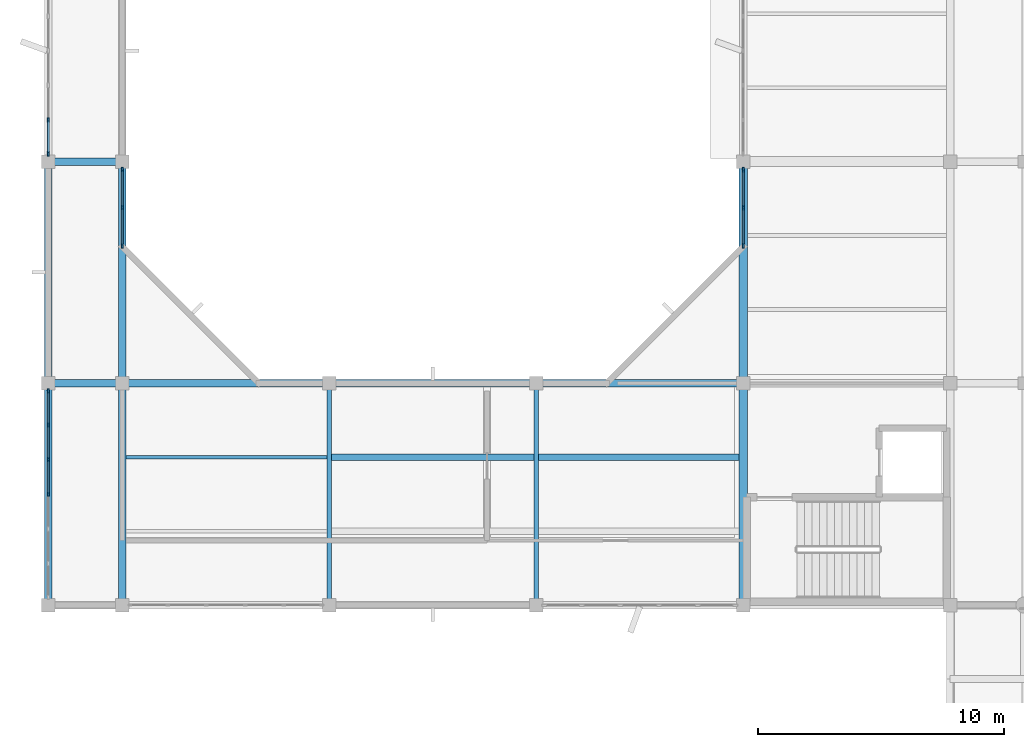
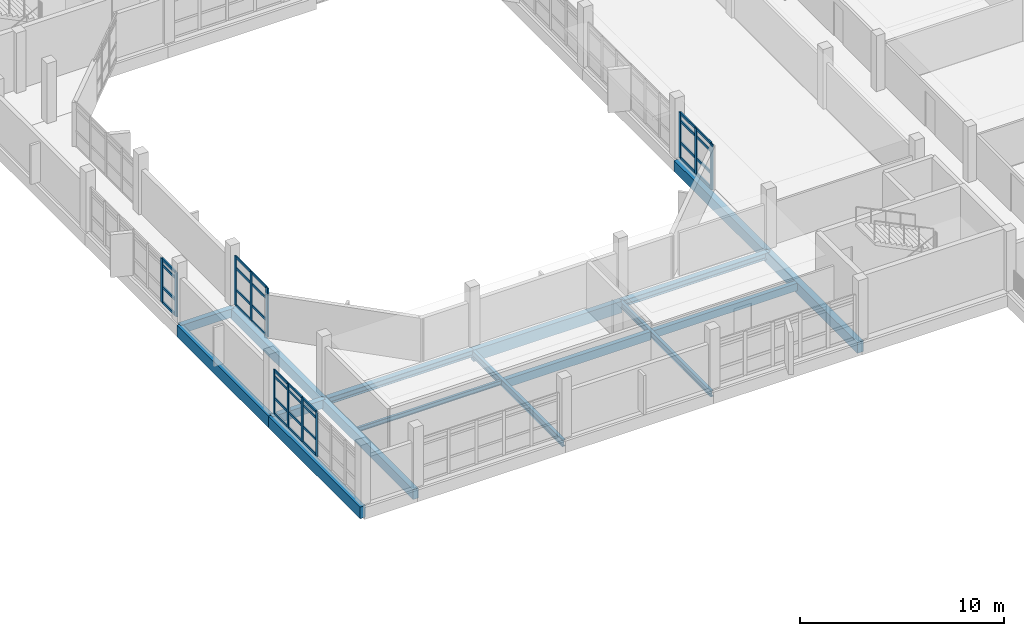
# One storey, part 6 of 51: 44 members, 16 beams, 4 elements without a shape of their own.
"""IFC4 building model written with IfcOpenShell, lengths in metres."""

from ifc_helpers import new_model, si_unit, direction, frame, origin, origin_2d, place, context, subcontext, project, spatial, rectangle, i_section, extrude, material, material_profile, profile_set, type_object, element, aggregate, save


model = new_model("IFC4")

# Units and contexts
model_context = context("Model", 3, precision=1e-05, world=origin(), true_north=direction((0.0, 1.0)))
body_context = subcontext(model_context, "Body", "Model", "MODEL_VIEW")
ifc_project = project(units=[si_unit("LENGTHUNIT", "METRE"), si_unit("AREAUNIT", "SQUARE_METRE"), si_unit("VOLUMEUNIT", "CUBIC_METRE"), si_unit("PLANEANGLEUNIT", "RADIAN"), si_unit("MASSUNIT", "GRAM", prefix="KILO")], contexts=[model_context])

# Site, building, storey
site_placement = place(None, origin())
site = spatial("IfcSite", under=ifc_project, at=site_placement, CompositionType="ELEMENT")
building_placement = place(site_placement, origin())
building = spatial("IfcBuilding", under=site, at=building_placement, Name="Vanh Quang Courtyard School", CompositionType="ELEMENT")
storey_placement = place(building_placement, frame((0.0, 0.0, 11.39990234375)))
storey = spatial("IfcBuildingStorey", under=building, at=storey_placement, Name="L03", CompositionType="ELEMENT", Elevation=11.39990234375)

# Beams
ifc_material_1 = material(Name="Concrete C35/45", Category="concrete")
ifc_material_profile_1 = material_profile(ifc_material_1, rectangle(XDim=0.300048828125, YDim=0.5, at=origin_2d()), Name="RC-BM 300x500")
ifc_profile_set_1 = profile_set([ifc_material_profile_1], Name="Concrete C35/45")
beam_type_1 = type_object("IfcBeamType", Name="BM-RC-300x500", PredefinedType="BEAM", material=ifc_profile_set_1)
for number, where, z_axis, x_axis, name in (
    (1, (37.800048828125, 41.39990234375, -0.5498046875), (1.0, 0.0, 0.0), (0.0, 1.0, 0.0), "Beam B-08 (L03)"),
    (2, (37.800048828125, 50.39990234375, -0.5498046875), (1.0, 0.0, 0.0), (0.0, 1.0, 0.0), "Beam B-08 (L03)"),
):
    element("IfcBeam", number, at=place(storey_placement, frame(where, z_axis=z_axis, x_axis=x_axis)), inside=storey, type_object=beam_type_1, Name=name, PredefinedType="BEAM", context=body_context, shape_type="SweptSolid", body=[
        extrude(rectangle(XDim=0.300048828125, YDim=0.5, at=origin_2d()), origin(), (0.0, 0.0, 1.0), 3.0),
    ])
ifc_material_profile_2 = material_profile(ifc_material_1, rectangle(XDim=0.300048828125, YDim=0.60009765625, at=origin_2d()), Name="RC-BM 300x600")
ifc_profile_set_2 = profile_set([ifc_material_profile_2], Name="Concrete C35/45")
beam_type_2 = type_object("IfcBeamType", Name="BM-RC-300x600", PredefinedType="BEAM", material=ifc_profile_set_2)
for number, where, z_axis, x_axis, name in (
    (3, (40.800048828125, 32.39990234375, -0.599853515625), (0.0, 1.0, 0.0), (-1.0, 0.0, 0.0), "Beam B-06 (L03)"),
    (4, (40.800048828125, 41.39990234375, -0.599853515625), (0.0, 1.0, 0.0), (-1.0, 0.0, 0.0), "Beam B-06 (L03)"),
):
    element("IfcBeam", number, at=place(storey_placement, frame(where, z_axis=z_axis, x_axis=x_axis)), inside=storey, type_object=beam_type_2, Name=name, PredefinedType="BEAM", context=body_context, shape_type="SweptSolid", body=[
        extrude(rectangle(XDim=0.300048828125, YDim=0.60009765625, at=origin_2d()), origin(), (0.0, 0.0, 1.0), 9.0),
    ])
ifc_material_profile_3 = material_profile(ifc_material_1, rectangle(XDim=0.35009765625, YDim=0.64990234375, at=origin_2d()), Name="RC-BM 350x650")
ifc_profile_set_3 = profile_set([ifc_material_profile_3], Name="Concrete C35/45")
beam_type_3 = type_object("IfcBeamType", Name="BM-RC-350x650", PredefinedType="BEAM", material=ifc_profile_set_3)
for number, where, z_axis, x_axis, name in (
    (5, (66.0, 32.39990234375, -0.625), (0.0, 1.0, 0.0), (-1.0, 0.0, 0.0), "Beam B-05 (L03)"),
    (6, (66.0, 41.39990234375, -0.625), (0.0, 1.0, 0.0), (-1.0, 0.0, 0.0), "Beam B-05 (L03)"),
):
    element("IfcBeam", number, at=place(storey_placement, frame(where, z_axis=z_axis, x_axis=x_axis)), inside=storey, type_object=beam_type_3, Name=name, PredefinedType="BEAM", context=body_context, shape_type="SweptSolid", body=[
        extrude(rectangle(XDim=0.35009765625, YDim=0.64990234375, at=origin_2d()), origin(), (0.0, 0.0, 1.0), 9.0),
    ])
ifc_material_profile_4 = material_profile(ifc_material_1, rectangle(XDim=0.300048828125, YDim=0.699951171875, at=origin_2d()), Name="RC-SP 300x700")
ifc_profile_set_4 = profile_set([ifc_material_profile_4], Name="Concrete C35/45")
beam_type_4 = type_object("IfcBeamType", Name="BM-SP-300x700", PredefinedType="SPANDREL", material=ifc_profile_set_4)
beam_1_placement = place(storey_placement, frame((49.199951171875, 41.39990234375, -0.64990234375), z_axis=(1.0, 0.0, 0.0), x_axis=(0.0, 1.0, 0.0)))
element("IfcBeam", 7, at=beam_1_placement, inside=storey, type_object=beam_type_4, Name="Beam BS-01 (L03)", PredefinedType="SPANDREL", context=body_context, shape_type="SweptSolid", body=[
    extrude(rectangle(XDim=0.300048828125, YDim=0.699951171875, at=origin_2d()), origin(), (0.0, 0.0, 1.0), 8.400146484375),
])
for number, where, z_axis, x_axis, name in (
    (8, (37.800048828125, 32.39990234375, -0.64990234375), (0.0, 1.0, 0.0), (-1.0, 0.0, 0.0), "Beam BS-01 (L03)"),
    (9, (37.800048828125, 41.39990234375, -0.64990234375), (0.0, 1.0, 0.0), (-1.0, 0.0, 0.0), "Beam BS-01 (L03)"),
):
    element("IfcBeam", number, at=place(storey_placement, frame(where, z_axis=z_axis, x_axis=x_axis)), inside=storey, type_object=beam_type_4, Name=name, PredefinedType="SPANDREL", context=body_context, shape_type="SweptSolid", body=[
        extrude(rectangle(XDim=0.300048828125, YDim=0.699951171875, at=origin_2d()), origin(), (0.0, 0.0, 1.0), 9.0),
    ])
ifc_material_2 = material(Name="Structural steel EN 10025-2 S355J2", Category="steel")
ifc_material_profile_5 = material_profile(ifc_material_2, i_section(OverallWidth=0.300048828125, OverallDepth=0.389892578125, WebThickness=0.010986328125, FlangeThickness=0.01904296875, FilletRadius=0.027099609375, at=origin_2d()), Name="HEA 400")
ifc_profile_set_5 = profile_set([ifc_material_profile_5], Name="Structural steel EN 10025-2 S355J2")
beam_type_5 = type_object("IfcBeamType", Name="BM-STL-HEA400", PredefinedType="BEAM", material=ifc_profile_set_5)
for number, where, z_axis, x_axis, name in (
    (10, (40.800048828125, 41.39990234375, -0.494873046875), (1.0, 0.0, 0.0), (0.0, 1.0, 0.0), "Beam SB-08 (L03)"),
    (11, (57.60009765625, 41.39990234375, -0.494873046875), (1.0, 0.0, 0.0), (0.0, 1.0, 0.0), "Beam SB-08 (L03)"),
):
    element("IfcBeam", number, at=place(storey_placement, frame(where, z_axis=z_axis, x_axis=x_axis)), inside=storey, type_object=beam_type_5, Name=name, PredefinedType="BEAM", context=body_context, shape_type="SweptSolid", body=[
        extrude(i_section(OverallWidth=0.300048828125, OverallDepth=0.389892578125, WebThickness=0.010986328125, FlangeThickness=0.01904296875, FilletRadius=0.027099609375, at=origin_2d()), origin(), (0.0, 0.0, 1.0), 8.39990234375),
    ])
ifc_material_profile_6 = material_profile(ifc_material_2, i_section(OverallWidth=0.169921875, OverallDepth=0.360107421875, WebThickness=0.008056640625, FlangeThickness=0.0126953125, FilletRadius=0.01806640625, at=origin_2d()), Name="IPE 360")
ifc_profile_set_6 = profile_set([ifc_material_profile_6], Name="Structural steel EN 10025-2 S355J2")
beam_type_6 = type_object("IfcBeamType", Name="BM-STL-IPE360", PredefinedType="BEAM", material=ifc_profile_set_6)
beam_2_placement = place(storey_placement, frame((57.60009765625, 32.39990234375, -0.47998046875), z_axis=(0.0, 1.0, 0.0), x_axis=(-1.0, 0.0, 0.0)))
element("IfcBeam", 12, at=beam_2_placement, inside=storey, type_object=beam_type_6, Name="Beam SB-06 (L03)", PredefinedType="BEAM", context=body_context, shape_type="SweptSolid", body=[
    extrude(i_section(OverallWidth=0.169921875, OverallDepth=0.360107421875, WebThickness=0.008056640625, FlangeThickness=0.0126953125, FilletRadius=0.01806640625, at=origin_2d()), origin(), (0.0, 0.0, 1.0), 9.0),
])
ifc_material_profile_7 = material_profile(ifc_material_2, i_section(OverallWidth=0.179931640625, OverallDepth=0.39990234375, WebThickness=0.008544921875, FlangeThickness=0.013427734375, FilletRadius=0.02099609375, at=origin_2d()), Name="IPE 400")
ifc_profile_set_7 = profile_set([ifc_material_profile_7], Name="Structural steel EN 10025-2 S355J2")
beam_type_7 = type_object("IfcBeamType", Name="BM-STL-IPE400", PredefinedType="BEAM", material=ifc_profile_set_7)
beam_3_placement = place(storey_placement, frame((49.199951171875, 32.39990234375, -0.5), z_axis=(0.0, 1.0, 0.0), x_axis=(-1.0, 0.0, 0.0)))
element("IfcBeam", 13, at=beam_3_placement, inside=storey, type_object=beam_type_7, Name="Beam SB-05 (L03)", PredefinedType="BEAM", context=body_context, shape_type="SweptSolid", body=[
    extrude(i_section(OverallWidth=0.179931640625, OverallDepth=0.39990234375, WebThickness=0.008544921875, FlangeThickness=0.013427734375, FilletRadius=0.02099609375, at=origin_2d()), origin(), (0.0, 0.0, 1.0), 9.0),
])

# Curtain wall, members
ifc_material_3 = material(Name="Thermally broken aluminium unitised curtain wall", Category="aluminium")
curtain_wall_type_1 = type_object("IfcCurtainWallType", Name="CW-SYS-48", PredefinedType="NOTDEFINED", material=ifc_material_3)
curtain_wall_1_placement = place(storey_placement, origin())
curtain_wall_1 = element("IfcCurtainWall", 14, at=curtain_wall_1_placement, inside=storey, type_object=curtain_wall_type_1, Name="Curtain Wall CW-48 (L03)", PredefinedType="NOTDEFINED")
ifc_material_4 = material(Name="Anodised aluminium 6063-T6", Category="aluminium")
ifc_material_profile_8 = material_profile(ifc_material_4, rectangle(XDim=0.070068359375, YDim=0.179931640625, at=origin_2d()), Name="ALU-MUL 70x180")
ifc_profile_set_8 = profile_set([ifc_material_profile_8], Name="Anodised aluminium 6063-T6")
member_type_1 = type_object("IfcMemberType", Name="CW-MUL-70x180", PredefinedType="MULLION", material=ifc_profile_set_8)
member_1_placement = place(storey_placement, frame((37.800048828125, 36.89990234375, 0.0), z_axis=(0.0, 0.0, 1.0), x_axis=(-1.0, 0.0, 0.0)))
member_1 = element("IfcMember", 15, at=member_1_placement, type_object=member_type_1, Name="CW-48 mullion 4", PredefinedType="MULLION", context=body_context, shape_type="SweptSolid", body=[
    extrude(rectangle(XDim=0.070068359375, YDim=0.179931640625, at=origin_2d()), origin(), (0.0, 0.0, 1.0), 2.64013671875),
])
member_2_placement = place(storey_placement, frame((37.800048828125, 38.3056640625, 0.0), z_axis=(0.0, 0.0, 1.0), x_axis=(-1.0, 0.0, 0.0)))
member_2 = element("IfcMember", 16, at=member_2_placement, type_object=member_type_1, Name="CW-48 mullion 5", PredefinedType="MULLION", context=body_context, shape_type="SweptSolid", body=[
    extrude(rectangle(XDim=0.070068359375, YDim=0.179931640625, at=origin_2d()), origin(), (0.0, 0.0, 1.0), 2.64013671875),
])
member_3_placement = place(storey_placement, frame((37.800048828125, 39.71142578125, 0.0), z_axis=(0.0, 0.0, 1.0), x_axis=(-1.0, 0.0, 0.0)))
member_3 = element("IfcMember", 17, at=member_3_placement, type_object=member_type_1, Name="CW-48 mullion 6", PredefinedType="MULLION", context=body_context, shape_type="SweptSolid", body=[
    extrude(rectangle(XDim=0.070068359375, YDim=0.179931640625, at=origin_2d()), origin(), (0.0, 0.0, 1.0), 2.64013671875),
])
member_4_placement = place(storey_placement, frame((37.800048828125, 41.08203125, 0.0), z_axis=(0.0, 0.0, 1.0), x_axis=(-1.0, 0.0, 0.0)))
member_4 = element("IfcMember", 18, at=member_4_placement, type_object=member_type_1, Name="CW-48 mullion 7", PredefinedType="MULLION", context=body_context, shape_type="SweptSolid", body=[
    extrude(rectangle(XDim=0.070068359375, YDim=0.179931640625, at=origin_2d()), origin(), (0.0, 0.0, 1.0), 2.64013671875),
])

curtain_wall_type_2 = type_object("IfcCurtainWallType", Name="CW-SYS-45", PredefinedType="NOTDEFINED", material=ifc_material_3)
curtain_wall_2_placement = place(storey_placement, origin())
curtain_wall_2 = element("IfcCurtainWall", 19, at=curtain_wall_2_placement, inside=storey, type_object=curtain_wall_type_2, Name="Curtain Wall CW-45 (L03)", PredefinedType="NOTDEFINED")
member_5_placement = place(storey_placement, frame((40.800048828125, 50.08203125, 0.0), z_axis=(0.0, 0.0, 1.0), x_axis=(1.0, 0.0, 0.0)))
member_5 = element("IfcMember", 20, at=member_5_placement, type_object=member_type_1, Name="CW-45 mullion 1", PredefinedType="MULLION", context=body_context, shape_type="SweptSolid", body=[
    extrude(rectangle(XDim=0.070068359375, YDim=0.179931640625, at=origin_2d()), origin(), (0.0, 0.0, 1.0), 2.940185546875),
])
member_6_placement = place(storey_placement, frame((40.800048828125, 48.530517578125, 0.0), z_axis=(0.0, 0.0, 1.0), x_axis=(1.0, 0.0, 0.0)))
member_6 = element("IfcMember", 21, at=member_6_placement, type_object=member_type_1, Name="CW-45 mullion 2", PredefinedType="MULLION", context=body_context, shape_type="SweptSolid", body=[
    extrude(rectangle(XDim=0.070068359375, YDim=0.179931640625, at=origin_2d()), origin(), (0.0, 0.0, 1.0), 2.940185546875),
])
member_7_placement = place(storey_placement, frame((40.800048828125, 46.97900390625, 0.0), z_axis=(0.0, 0.0, 1.0), x_axis=(1.0, 0.0, 0.0)))
member_7 = element("IfcMember", 22, at=member_7_placement, type_object=member_type_1, Name="CW-45 mullion 3", PredefinedType="MULLION", context=body_context, shape_type="SweptSolid", body=[
    extrude(rectangle(XDim=0.070068359375, YDim=0.179931640625, at=origin_2d()), origin(), (0.0, 0.0, 1.0), 2.940185546875),
])

curtain_wall_3_placement = place(storey_placement, origin())
curtain_wall_3 = element("IfcCurtainWall", 23, at=curtain_wall_3_placement, inside=storey, type_object=curtain_wall_type_1, Name="Curtain Wall CW-48 (L03)", PredefinedType="NOTDEFINED")
ifc_material_profile_9 = material_profile(ifc_material_4, rectangle(XDim=0.080078125, YDim=0.199951171875, at=origin_2d()), Name="ALU-MUL 80x200")
ifc_profile_set_9 = profile_set([ifc_material_profile_9], Name="Anodised aluminium 6063-T6")
member_type_2 = type_object("IfcMemberType", Name="CW-MUL-80x200", PredefinedType="MULLION", material=ifc_profile_set_9)
member_8_placement = place(storey_placement, frame((37.800048828125, 50.722900390625, 0.0), z_axis=(0.0, 0.0, 1.0), x_axis=(-1.0, 0.0, 0.0)))
member_8 = element("IfcMember", 24, at=member_8_placement, type_object=member_type_2, Name="CW-48 mullion 1", PredefinedType="MULLION", context=body_context, shape_type="SweptSolid", body=[
    extrude(rectangle(XDim=0.080078125, YDim=0.199951171875, at=origin_2d()), origin(), (0.0, 0.0, 1.0), 2.64013671875),
])
member_9_placement = place(storey_placement, frame((37.800048828125, 52.088623046875, 0.0), z_axis=(0.0, 0.0, 1.0), x_axis=(-1.0, 0.0, 0.0)))
member_9 = element("IfcMember", 25, at=member_9_placement, type_object=member_type_2, Name="CW-48 mullion 2", PredefinedType="MULLION", context=body_context, shape_type="SweptSolid", body=[
    extrude(rectangle(XDim=0.080078125, YDim=0.199951171875, at=origin_2d()), origin(), (0.0, 0.0, 1.0), 2.64013671875),
])

curtain_wall_type_3 = type_object("IfcCurtainWallType", Name="CW-SYS-43", PredefinedType="NOTDEFINED", material=ifc_material_3)
curtain_wall_4_placement = place(storey_placement, origin())
curtain_wall_4 = element("IfcCurtainWall", 26, at=curtain_wall_4_placement, inside=storey, type_object=curtain_wall_type_3, Name="Curtain Wall CW-43 (L03)", PredefinedType="NOTDEFINED")
member_10_placement = place(storey_placement, frame((66.0, 46.98388671875, 0.0), z_axis=(0.0, 0.0, 1.0), x_axis=(-1.0, 0.0, 0.0)))
member_10 = element("IfcMember", 27, at=member_10_placement, type_object=member_type_2, Name="CW-43 mullion 1", PredefinedType="MULLION", context=body_context, shape_type="SweptSolid", body=[
    extrude(rectangle(XDim=0.080078125, YDim=0.199951171875, at=origin_2d()), origin(), (0.0, 0.0, 1.0), 2.739990234375),
])
member_11_placement = place(storey_placement, frame((66.0, 48.530517578125, 0.0), z_axis=(0.0, 0.0, 1.0), x_axis=(-1.0, 0.0, 0.0)))
member_11 = element("IfcMember", 28, at=member_11_placement, type_object=member_type_2, Name="CW-43 mullion 2", PredefinedType="MULLION", context=body_context, shape_type="SweptSolid", body=[
    extrude(rectangle(XDim=0.080078125, YDim=0.199951171875, at=origin_2d()), origin(), (0.0, 0.0, 1.0), 2.739990234375),
])
member_12_placement = place(storey_placement, frame((66.0, 50.076904296875, 0.0), z_axis=(0.0, 0.0, 1.0), x_axis=(-1.0, 0.0, 0.0)))
member_12 = element("IfcMember", 29, at=member_12_placement, type_object=member_type_2, Name="CW-43 mullion 3", PredefinedType="MULLION", context=body_context, shape_type="SweptSolid", body=[
    extrude(rectangle(XDim=0.080078125, YDim=0.199951171875, at=origin_2d()), origin(), (0.0, 0.0, 1.0), 2.739990234375),
])

# Member
ifc_material_profile_10 = material_profile(ifc_material_4, rectangle(XDim=0.070068359375, YDim=0.139892578125, at=origin_2d()), Name="ALU-TRN 70x140")
ifc_profile_set_10 = profile_set([ifc_material_profile_10], Name="Anodised aluminium 6063-T6")
member_type_3 = type_object("IfcMemberType", Name="CW-TRN-70x140", PredefinedType="USERDEFINED", material=ifc_profile_set_10)
member_13_placement = place(storey_placement, frame((37.800048828125, 36.93505859375, 0.03515625), z_axis=(0.0, 1.0, 0.0), x_axis=(-1.0, 0.0, 0.0)))
member_13 = element("IfcMember", 30, at=member_13_placement, type_object=member_type_3, Name="CW-48 transom 4.1", ObjectType="TRANSOM", PredefinedType="USERDEFINED", context=body_context, shape_type="SweptSolid", body=[
    extrude(rectangle(XDim=0.070068359375, YDim=0.139892578125, at=origin_2d()), origin(), (0.0, 0.0, 1.0), 1.335693359375),
])

member_14_placement = place(storey_placement, frame((37.800048828125, 36.93505859375, 0.9501953125), z_axis=(0.0, 1.0, 0.0), x_axis=(-1.0, 0.0, 0.0)))
member_14 = element("IfcMember", 31, at=member_14_placement, type_object=member_type_3, Name="CW-48 transom 4.2", ObjectType="TRANSOM", PredefinedType="USERDEFINED", context=body_context, shape_type="SweptSolid", body=[
    extrude(rectangle(XDim=0.070068359375, YDim=0.139892578125, at=origin_2d()), origin(), (0.0, 0.0, 1.0), 1.335693359375),
])

member_15_placement = place(storey_placement, frame((37.800048828125, 36.93505859375, 2.25), z_axis=(0.0, 1.0, 0.0), x_axis=(-1.0, 0.0, 0.0)))
member_15 = element("IfcMember", 32, at=member_15_placement, type_object=member_type_3, Name="CW-48 transom 4.3", ObjectType="TRANSOM", PredefinedType="USERDEFINED", context=body_context, shape_type="SweptSolid", body=[
    extrude(rectangle(XDim=0.070068359375, YDim=0.139892578125, at=origin_2d()), origin(), (0.0, 0.0, 1.0), 1.335693359375),
])

member_16_placement = place(storey_placement, frame((37.800048828125, 36.93505859375, 2.60498046875), z_axis=(0.0, 1.0, 0.0), x_axis=(-1.0, 0.0, 0.0)))
member_16 = element("IfcMember", 33, at=member_16_placement, type_object=member_type_3, Name="CW-48 transom 4.4", ObjectType="TRANSOM", PredefinedType="USERDEFINED", context=body_context, shape_type="SweptSolid", body=[
    extrude(rectangle(XDim=0.070068359375, YDim=0.139892578125, at=origin_2d()), origin(), (0.0, 0.0, 1.0), 1.335693359375),
])

member_17_placement = place(storey_placement, frame((37.800048828125, 38.340576171875, 0.03515625), z_axis=(0.0, 1.0, 0.0), x_axis=(-1.0, 0.0, 0.0)))
member_17 = element("IfcMember", 34, at=member_17_placement, type_object=member_type_3, Name="CW-48 transom 5.1", ObjectType="TRANSOM", PredefinedType="USERDEFINED", context=body_context, shape_type="SweptSolid", body=[
    extrude(rectangle(XDim=0.070068359375, YDim=0.139892578125, at=origin_2d()), origin(), (0.0, 0.0, 1.0), 1.335693359375),
])

member_18_placement = place(storey_placement, frame((37.800048828125, 38.340576171875, 0.9501953125), z_axis=(0.0, 1.0, 0.0), x_axis=(-1.0, 0.0, 0.0)))
member_18 = element("IfcMember", 35, at=member_18_placement, type_object=member_type_3, Name="CW-48 transom 5.2", ObjectType="TRANSOM", PredefinedType="USERDEFINED", context=body_context, shape_type="SweptSolid", body=[
    extrude(rectangle(XDim=0.070068359375, YDim=0.139892578125, at=origin_2d()), origin(), (0.0, 0.0, 1.0), 1.335693359375),
])

member_19_placement = place(storey_placement, frame((37.800048828125, 38.340576171875, 2.25), z_axis=(0.0, 1.0, 0.0), x_axis=(-1.0, 0.0, 0.0)))
member_19 = element("IfcMember", 36, at=member_19_placement, type_object=member_type_3, Name="CW-48 transom 5.3", ObjectType="TRANSOM", PredefinedType="USERDEFINED", context=body_context, shape_type="SweptSolid", body=[
    extrude(rectangle(XDim=0.070068359375, YDim=0.139892578125, at=origin_2d()), origin(), (0.0, 0.0, 1.0), 1.335693359375),
])

member_20_placement = place(storey_placement, frame((37.800048828125, 38.340576171875, 2.60498046875), z_axis=(0.0, 1.0, 0.0), x_axis=(-1.0, 0.0, 0.0)))
member_20 = element("IfcMember", 37, at=member_20_placement, type_object=member_type_3, Name="CW-48 transom 5.4", ObjectType="TRANSOM", PredefinedType="USERDEFINED", context=body_context, shape_type="SweptSolid", body=[
    extrude(rectangle(XDim=0.070068359375, YDim=0.139892578125, at=origin_2d()), origin(), (0.0, 0.0, 1.0), 1.335693359375),
])

member_21_placement = place(storey_placement, frame((37.800048828125, 39.746337890625, 0.03515625), z_axis=(0.0, 1.0, 0.0), x_axis=(-1.0, 0.0, 0.0)))
member_21 = element("IfcMember", 38, at=member_21_placement, type_object=member_type_3, Name="CW-48 transom 6.1", ObjectType="TRANSOM", PredefinedType="USERDEFINED", context=body_context, shape_type="SweptSolid", body=[
    extrude(rectangle(XDim=0.070068359375, YDim=0.139892578125, at=origin_2d()), origin(), (0.0, 0.0, 1.0), 1.30078125),
])

member_22_placement = place(storey_placement, frame((37.800048828125, 39.746337890625, 0.9501953125), z_axis=(0.0, 1.0, 0.0), x_axis=(-1.0, 0.0, 0.0)))
member_22 = element("IfcMember", 39, at=member_22_placement, type_object=member_type_3, Name="CW-48 transom 6.2", ObjectType="TRANSOM", PredefinedType="USERDEFINED", context=body_context, shape_type="SweptSolid", body=[
    extrude(rectangle(XDim=0.070068359375, YDim=0.139892578125, at=origin_2d()), origin(), (0.0, 0.0, 1.0), 1.30078125),
])

member_23_placement = place(storey_placement, frame((37.800048828125, 39.746337890625, 2.25), z_axis=(0.0, 1.0, 0.0), x_axis=(-1.0, 0.0, 0.0)))
member_23 = element("IfcMember", 40, at=member_23_placement, type_object=member_type_3, Name="CW-48 transom 6.3", ObjectType="TRANSOM", PredefinedType="USERDEFINED", context=body_context, shape_type="SweptSolid", body=[
    extrude(rectangle(XDim=0.070068359375, YDim=0.139892578125, at=origin_2d()), origin(), (0.0, 0.0, 1.0), 1.30078125),
])

member_24_placement = place(storey_placement, frame((37.800048828125, 39.746337890625, 2.60498046875), z_axis=(0.0, 1.0, 0.0), x_axis=(-1.0, 0.0, 0.0)))
member_24 = element("IfcMember", 41, at=member_24_placement, type_object=member_type_3, Name="CW-48 transom 6.4", ObjectType="TRANSOM", PredefinedType="USERDEFINED", context=body_context, shape_type="SweptSolid", body=[
    extrude(rectangle(XDim=0.070068359375, YDim=0.139892578125, at=origin_2d()), origin(), (0.0, 0.0, 1.0), 1.30078125),
])

aggregate(curtain_wall_1, [member_1, member_2, member_3, member_4, member_13, member_14, member_15, member_16, member_17, member_18, member_19, member_20, member_21, member_22, member_23, member_24])

member_25_placement = place(storey_placement, frame((40.800048828125, 50.047119140625, 0.03515625), z_axis=(0.0, -1.0, 0.0), x_axis=(1.0, 0.0, 0.0)))
member_25 = element("IfcMember", 42, at=member_25_placement, type_object=member_type_3, Name="CW-45 transom 1.1", ObjectType="TRANSOM", PredefinedType="USERDEFINED", context=body_context, shape_type="SweptSolid", body=[
    extrude(rectangle(XDim=0.070068359375, YDim=0.139892578125, at=origin_2d()), origin(), (0.0, 0.0, 1.0), 1.481689453125),
])

member_26_placement = place(storey_placement, frame((40.800048828125, 50.047119140625, 0.9501953125), z_axis=(0.0, -1.0, 0.0), x_axis=(1.0, 0.0, 0.0)))
member_26 = element("IfcMember", 43, at=member_26_placement, type_object=member_type_3, Name="CW-45 transom 1.2", ObjectType="TRANSOM", PredefinedType="USERDEFINED", context=body_context, shape_type="SweptSolid", body=[
    extrude(rectangle(XDim=0.070068359375, YDim=0.139892578125, at=origin_2d()), origin(), (0.0, 0.0, 1.0), 1.481689453125),
])

member_27_placement = place(storey_placement, frame((40.800048828125, 50.047119140625, 2.25), z_axis=(0.0, -1.0, 0.0), x_axis=(1.0, 0.0, 0.0)))
member_27 = element("IfcMember", 44, at=member_27_placement, type_object=member_type_3, Name="CW-45 transom 1.3", ObjectType="TRANSOM", PredefinedType="USERDEFINED", context=body_context, shape_type="SweptSolid", body=[
    extrude(rectangle(XDim=0.070068359375, YDim=0.139892578125, at=origin_2d()), origin(), (0.0, 0.0, 1.0), 1.481689453125),
])

member_28_placement = place(storey_placement, frame((40.800048828125, 50.047119140625, 2.905029296875), z_axis=(0.0, -1.0, 0.0), x_axis=(1.0, 0.0, 0.0)))
member_28 = element("IfcMember", 45, at=member_28_placement, type_object=member_type_3, Name="CW-45 transom 1.4", ObjectType="TRANSOM", PredefinedType="USERDEFINED", context=body_context, shape_type="SweptSolid", body=[
    extrude(rectangle(XDim=0.070068359375, YDim=0.139892578125, at=origin_2d()), origin(), (0.0, 0.0, 1.0), 1.481689453125),
])

member_29_placement = place(storey_placement, frame((40.800048828125, 48.49560546875, 0.03515625), z_axis=(0.0, -1.0, 0.0), x_axis=(1.0, 0.0, 0.0)))
member_29 = element("IfcMember", 46, at=member_29_placement, type_object=member_type_3, Name="CW-45 transom 2.1", ObjectType="TRANSOM", PredefinedType="USERDEFINED", context=body_context, shape_type="SweptSolid", body=[
    extrude(rectangle(XDim=0.070068359375, YDim=0.139892578125, at=origin_2d()), origin(), (0.0, 0.0, 1.0), 1.481689453125),
])

member_30_placement = place(storey_placement, frame((40.800048828125, 48.49560546875, 0.9501953125), z_axis=(0.0, -1.0, 0.0), x_axis=(1.0, 0.0, 0.0)))
member_30 = element("IfcMember", 47, at=member_30_placement, type_object=member_type_3, Name="CW-45 transom 2.2", ObjectType="TRANSOM", PredefinedType="USERDEFINED", context=body_context, shape_type="SweptSolid", body=[
    extrude(rectangle(XDim=0.070068359375, YDim=0.139892578125, at=origin_2d()), origin(), (0.0, 0.0, 1.0), 1.481689453125),
])

member_31_placement = place(storey_placement, frame((40.800048828125, 48.49560546875, 2.25), z_axis=(0.0, -1.0, 0.0), x_axis=(1.0, 0.0, 0.0)))
member_31 = element("IfcMember", 48, at=member_31_placement, type_object=member_type_3, Name="CW-45 transom 2.3", ObjectType="TRANSOM", PredefinedType="USERDEFINED", context=body_context, shape_type="SweptSolid", body=[
    extrude(rectangle(XDim=0.070068359375, YDim=0.139892578125, at=origin_2d()), origin(), (0.0, 0.0, 1.0), 1.481689453125),
])

member_32_placement = place(storey_placement, frame((40.800048828125, 48.49560546875, 2.905029296875), z_axis=(0.0, -1.0, 0.0), x_axis=(1.0, 0.0, 0.0)))
member_32 = element("IfcMember", 49, at=member_32_placement, type_object=member_type_3, Name="CW-45 transom 2.4", ObjectType="TRANSOM", PredefinedType="USERDEFINED", context=body_context, shape_type="SweptSolid", body=[
    extrude(rectangle(XDim=0.070068359375, YDim=0.139892578125, at=origin_2d()), origin(), (0.0, 0.0, 1.0), 1.481689453125),
])

aggregate(curtain_wall_2, [member_5, member_6, member_7, member_25, member_26, member_27, member_28, member_29, member_30, member_31, member_32])

ifc_material_profile_11 = material_profile(ifc_material_4, rectangle(XDim=0.080078125, YDim=0.14990234375, at=origin_2d()), Name="ALU-TRN 80x150")
ifc_profile_set_11 = profile_set([ifc_material_profile_11], Name="Anodised aluminium 6063-T6")
member_type_4 = type_object("IfcMemberType", Name="CW-TRN-80x150", PredefinedType="USERDEFINED", material=ifc_profile_set_11)
member_33_placement = place(storey_placement, frame((37.800048828125, 50.762939453125, 0.0400390625), z_axis=(0.0, 1.0, 0.0), x_axis=(-1.0, 0.0, 0.0)))
member_33 = element("IfcMember", 50, at=member_33_placement, type_object=member_type_4, Name="CW-48 transom 1.1", ObjectType="TRANSOM", PredefinedType="USERDEFINED", context=body_context, shape_type="SweptSolid", body=[
    extrude(rectangle(XDim=0.080078125, YDim=0.14990234375, at=origin_2d()), origin(), (0.0, 0.0, 1.0), 1.28564453125),
])

member_34_placement = place(storey_placement, frame((37.800048828125, 50.762939453125, 0.9501953125), z_axis=(0.0, 1.0, 0.0), x_axis=(-1.0, 0.0, 0.0)))
member_34 = element("IfcMember", 51, at=member_34_placement, type_object=member_type_4, Name="CW-48 transom 1.2", ObjectType="TRANSOM", PredefinedType="USERDEFINED", context=body_context, shape_type="SweptSolid", body=[
    extrude(rectangle(XDim=0.080078125, YDim=0.14990234375, at=origin_2d()), origin(), (0.0, 0.0, 1.0), 1.28564453125),
])

member_35_placement = place(storey_placement, frame((37.800048828125, 50.762939453125, 2.25), z_axis=(0.0, 1.0, 0.0), x_axis=(-1.0, 0.0, 0.0)))
member_35 = element("IfcMember", 52, at=member_35_placement, type_object=member_type_4, Name="CW-48 transom 1.3", ObjectType="TRANSOM", PredefinedType="USERDEFINED", context=body_context, shape_type="SweptSolid", body=[
    extrude(rectangle(XDim=0.080078125, YDim=0.14990234375, at=origin_2d()), origin(), (0.0, 0.0, 1.0), 1.28564453125),
])

member_36_placement = place(storey_placement, frame((37.800048828125, 50.762939453125, 2.60009765625), z_axis=(0.0, 1.0, 0.0), x_axis=(-1.0, 0.0, 0.0)))
member_36 = element("IfcMember", 53, at=member_36_placement, type_object=member_type_4, Name="CW-48 transom 1.4", ObjectType="TRANSOM", PredefinedType="USERDEFINED", context=body_context, shape_type="SweptSolid", body=[
    extrude(rectangle(XDim=0.080078125, YDim=0.14990234375, at=origin_2d()), origin(), (0.0, 0.0, 1.0), 1.28564453125),
])

aggregate(curtain_wall_3, [member_8, member_9, member_33, member_34, member_35, member_36])

member_37_placement = place(storey_placement, frame((66.0, 47.02392578125, 0.0400390625), z_axis=(0.0, 1.0, 0.0), x_axis=(-1.0, 0.0, 0.0)))
member_37 = element("IfcMember", 54, at=member_37_placement, type_object=member_type_4, Name="CW-43 transom 1.1", ObjectType="TRANSOM", PredefinedType="USERDEFINED", context=body_context, shape_type="SweptSolid", body=[
    extrude(rectangle(XDim=0.080078125, YDim=0.14990234375, at=origin_2d()), origin(), (0.0, 0.0, 1.0), 1.466552734375),
])

member_38_placement = place(storey_placement, frame((66.0, 47.02392578125, 0.9501953125), z_axis=(0.0, 1.0, 0.0), x_axis=(-1.0, 0.0, 0.0)))
member_38 = element("IfcMember", 55, at=member_38_placement, type_object=member_type_4, Name="CW-43 transom 1.2", ObjectType="TRANSOM", PredefinedType="USERDEFINED", context=body_context, shape_type="SweptSolid", body=[
    extrude(rectangle(XDim=0.080078125, YDim=0.14990234375, at=origin_2d()), origin(), (0.0, 0.0, 1.0), 1.466552734375),
])

member_39_placement = place(storey_placement, frame((66.0, 47.02392578125, 2.25), z_axis=(0.0, 1.0, 0.0), x_axis=(-1.0, 0.0, 0.0)))
member_39 = element("IfcMember", 56, at=member_39_placement, type_object=member_type_4, Name="CW-43 transom 1.3", ObjectType="TRANSOM", PredefinedType="USERDEFINED", context=body_context, shape_type="SweptSolid", body=[
    extrude(rectangle(XDim=0.080078125, YDim=0.14990234375, at=origin_2d()), origin(), (0.0, 0.0, 1.0), 1.466552734375),
])

member_40_placement = place(storey_placement, frame((66.0, 47.02392578125, 2.7001953125), z_axis=(0.0, 1.0, 0.0), x_axis=(-1.0, 0.0, 0.0)))
member_40 = element("IfcMember", 57, at=member_40_placement, type_object=member_type_4, Name="CW-43 transom 1.4", ObjectType="TRANSOM", PredefinedType="USERDEFINED", context=body_context, shape_type="SweptSolid", body=[
    extrude(rectangle(XDim=0.080078125, YDim=0.14990234375, at=origin_2d()), origin(), (0.0, 0.0, 1.0), 1.466552734375),
])

member_41_placement = place(storey_placement, frame((66.0, 48.570556640625, 0.0400390625), z_axis=(0.0, 1.0, 0.0), x_axis=(-1.0, 0.0, 0.0)))
member_41 = element("IfcMember", 58, at=member_41_placement, type_object=member_type_4, Name="CW-43 transom 2.1", ObjectType="TRANSOM", PredefinedType="USERDEFINED", context=body_context, shape_type="SweptSolid", body=[
    extrude(rectangle(XDim=0.080078125, YDim=0.14990234375, at=origin_2d()), origin(), (0.0, 0.0, 1.0), 1.466552734375),
])

member_42_placement = place(storey_placement, frame((66.0, 48.570556640625, 0.9501953125), z_axis=(0.0, 1.0, 0.0), x_axis=(-1.0, 0.0, 0.0)))
member_42 = element("IfcMember", 59, at=member_42_placement, type_object=member_type_4, Name="CW-43 transom 2.2", ObjectType="TRANSOM", PredefinedType="USERDEFINED", context=body_context, shape_type="SweptSolid", body=[
    extrude(rectangle(XDim=0.080078125, YDim=0.14990234375, at=origin_2d()), origin(), (0.0, 0.0, 1.0), 1.466552734375),
])

member_43_placement = place(storey_placement, frame((66.0, 48.570556640625, 2.25), z_axis=(0.0, 1.0, 0.0), x_axis=(-1.0, 0.0, 0.0)))
member_43 = element("IfcMember", 60, at=member_43_placement, type_object=member_type_4, Name="CW-43 transom 2.3", ObjectType="TRANSOM", PredefinedType="USERDEFINED", context=body_context, shape_type="SweptSolid", body=[
    extrude(rectangle(XDim=0.080078125, YDim=0.14990234375, at=origin_2d()), origin(), (0.0, 0.0, 1.0), 1.466552734375),
])

member_44_placement = place(storey_placement, frame((66.0, 48.570556640625, 2.7001953125), z_axis=(0.0, 1.0, 0.0), x_axis=(-1.0, 0.0, 0.0)))
member_44 = element("IfcMember", 61, at=member_44_placement, type_object=member_type_4, Name="CW-43 transom 2.4", ObjectType="TRANSOM", PredefinedType="USERDEFINED", context=body_context, shape_type="SweptSolid", body=[
    extrude(rectangle(XDim=0.080078125, YDim=0.14990234375, at=origin_2d()), origin(), (0.0, 0.0, 1.0), 1.466552734375),
])

aggregate(curtain_wall_4, [member_10, member_11, member_12, member_37, member_38, member_39, member_40, member_41, member_42, member_43, member_44])

# Beams
ifc_material_5 = material(Name="Concrete C30/37", Category="concrete")
ifc_material_profile_12 = material_profile(ifc_material_5, rectangle(XDim=0.25, YDim=0.449951171875, at=origin_2d()), Name="RC-JST 250x450")
ifc_profile_set_12 = profile_set([ifc_material_profile_12], Name="Concrete C30/37")
beam_type_8 = type_object("IfcBeamType", Name="JST-RC-250x450", PredefinedType="JOIST", material=ifc_profile_set_12)
beam_4_placement = place(storey_placement, frame((57.68505859375, 38.39990234375, -0.52490234375), z_axis=(1.0, 0.0, 0.0), x_axis=(0.0, 1.0, 0.0)))
element("IfcBeam", 62, at=beam_4_placement, inside=storey, type_object=beam_type_8, Name="Beam BJ-02 (L03)", PredefinedType="JOIST", context=body_context, shape_type="SweptSolid", body=[
    extrude(rectangle(XDim=0.25, YDim=0.449951171875, at=origin_2d()), origin(), (0.0, 0.0, 1.0), 8.139892578125),
])
ifc_material_profile_13 = material_profile(ifc_material_5, rectangle(XDim=0.25, YDim=0.5, at=origin_2d()), Name="RC-JST 250x500")
ifc_profile_set_13 = profile_set([ifc_material_profile_13], Name="Concrete C30/37")
beam_type_9 = type_object("IfcBeamType", Name="JST-RC-250x500", PredefinedType="JOIST", material=ifc_profile_set_13)
beam_5_placement = place(storey_placement, frame((49.2900390625, 38.39990234375, -0.5498046875), z_axis=(1.0, 0.0, 0.0), x_axis=(0.0, 1.0, 0.0)))
element("IfcBeam", 63, at=beam_5_placement, inside=storey, type_object=beam_type_9, Name="Beam BJ-01 (L03)", PredefinedType="JOIST", context=body_context, shape_type="SweptSolid", body=[
    extrude(rectangle(XDim=0.25, YDim=0.5, at=origin_2d()), origin(), (0.0, 0.0, 1.0), 8.224853515625),
])
ifc_material_profile_14 = material_profile(ifc_material_2, i_section(OverallWidth=0.135009765625, OverallDepth=0.27001953125, WebThickness=0.006591796875, FlangeThickness=0.01025390625, FilletRadius=0.014892578125, at=origin_2d()), Name="IPE 270")
ifc_profile_set_14 = profile_set([ifc_material_profile_14], Name="Structural steel EN 10025-2 S355J2")
beam_type_10 = type_object("IfcBeamType", Name="JST-STL-IPE270", PredefinedType="JOIST", material=ifc_profile_set_14)
beam_6_placement = place(storey_placement, frame((40.949951171875, 38.39990234375, -0.434814453125), z_axis=(1.0, 0.0, 0.0), x_axis=(0.0, 1.0, 0.0)))
element("IfcBeam", 64, at=beam_6_placement, inside=storey, type_object=beam_type_10, Name="Beam SJ-03 (L03)", PredefinedType="JOIST", context=body_context, shape_type="SweptSolid", body=[
    extrude(i_section(OverallWidth=0.135009765625, OverallDepth=0.27001953125, WebThickness=0.006591796875, FlangeThickness=0.01025390625, FilletRadius=0.014892578125, at=origin_2d()), origin(), (0.0, 0.0, 1.0), 8.16015625),
])

save(model, "model.ifc")
